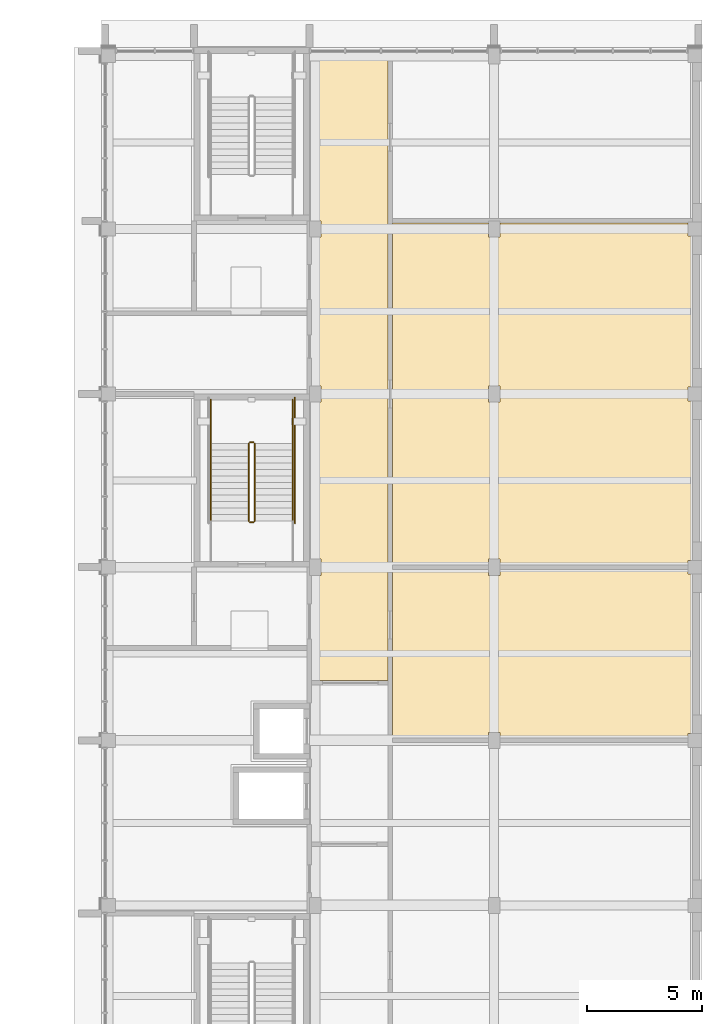
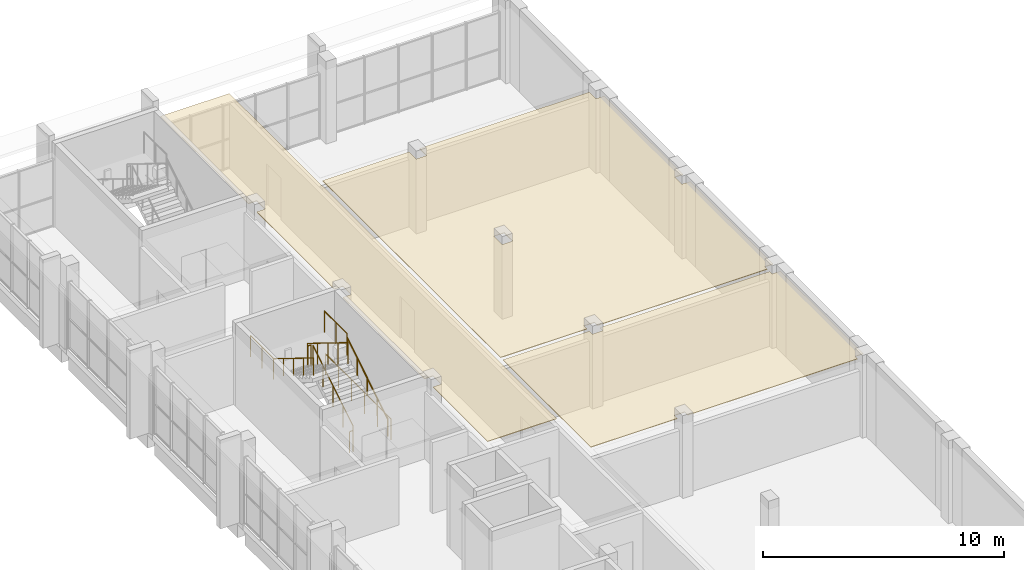
# One storey, part 41 of 42: 9 railings, 3 coverings.
"""IFC4 building model written with IfcOpenShell, lengths in metres."""

from ifc_helpers import new_model, si_unit, direction, frame, origin, origin_2d, place, context, subcontext, project, spatial, polyline, circle, outline, extrude, material, layer, layer_set, type_object, element, save


model = new_model("IFC4")

# Units and contexts
model_context = context("Model", 3, precision=1e-05, world=origin(), true_north=direction((0.0, 1.0)))
body_context = subcontext(model_context, "Body", "Model", "MODEL_VIEW")
ifc_project = project(units=[si_unit("LENGTHUNIT", "METRE"), si_unit("AREAUNIT", "SQUARE_METRE"), si_unit("VOLUMEUNIT", "CUBIC_METRE"), si_unit("PLANEANGLEUNIT", "RADIAN"), si_unit("MASSUNIT", "GRAM", prefix="KILO")], contexts=[model_context])

# Site, building, storey
site_placement = place(None, origin())
site = spatial("IfcSite", under=ifc_project, at=site_placement, CompositionType="ELEMENT")
building_placement = place(site_placement, origin())
building = spatial("IfcBuilding", under=site, at=building_placement, Name="Sun Court Science Centre", CompositionType="ELEMENT")
storey_placement = place(building_placement, frame((0.0, 0.0, 20.25)))
storey = spatial("IfcBuildingStorey", under=building, at=storey_placement, Name="L04", CompositionType="ELEMENT", Elevation=20.25)

# Coverings
ifc_material_1 = material(Name="Gypsum board")
ifc_layer = layer(ifc_material_1, 0.030029296875)
ifc_layer_set = layer_set([ifc_layer], Name="Gypsum board")
covering_type = type_object("IfcCoveringType", Name="Ceiling suspended 600 module", PredefinedType="CEILING", material=ifc_layer_set)
covering_1_placement = place(storey_placement, frame((0.0, 0.0, 3.77001953125)))
element("IfcCovering", 1, at=covering_1_placement, inside=storey, type_object=covering_type, Name="L04-007 ceiling", PredefinedType="CEILING", context=body_context, shape_type="SweptSolid", body=[
    extrude(outline(polyline([(90.39990234375, 80.800048828125), (90.39990234375, 53.60009765625), (87.10009765625, 53.60009765625), (87.10009765625, 58.14990234375), (87.5, 58.14990234375), (87.5, 58.85009765625), (87.10009765625, 58.85009765625), (87.10009765625, 65.64990234375), (87.5, 65.64990234375), (87.5, 66.35009765625), (87.10009765625, 66.35009765625), (87.10009765625, 72.800048828125), (87.5, 72.800048828125), (87.5, 73.5), (87.10009765625, 73.5), (87.10009765625, 80.800048828125), (90.39990234375, 80.800048828125)])), origin(), (0.0, 0.0, 1.0), 0.030029296875),
])
covering_2_placement = place(storey_placement, frame((0.0, 0.0, 3.77001953125)))
element("IfcCovering", 2, at=covering_2_placement, inside=storey, type_object=covering_type, Name="L04-020 ceiling", PredefinedType="CEILING", context=body_context, shape_type="SweptSolid", body=[
    extrude(outline(polyline([(103.39990234375, 51.10009765625), (95.25, 51.10009765625), (95.25, 51.35009765625), (94.75, 51.35009765625), (94.75, 51.10009765625), (90.60009765625, 51.10009765625), (90.60009765625, 58.39990234375), (94.75, 58.39990234375), (94.75, 58.14990234375), (95.25, 58.14990234375), (95.25, 58.39990234375), (103.39990234375, 58.39990234375), (103.39990234375, 58.199951171875), (103.800048828125, 58.199951171875), (103.800048828125, 51.300048828125), (103.39990234375, 51.300048828125), (103.39990234375, 51.10009765625)])), origin(), (0.0, 0.0, 1.0), 0.030029296875),
])
covering_3_placement = place(storey_placement, frame((0.0, 0.0, 3.77001953125)))
element("IfcCovering", 3, at=covering_3_placement, inside=storey, type_object=covering_type, Name="L04-021 ceiling", PredefinedType="CEILING", context=body_context, shape_type="SweptSolid", body=[
    extrude(outline(polyline([(95.25, 58.60009765625), (95.25, 58.85009765625), (94.75, 58.85009765625), (94.75, 58.60009765625), (90.60009765625, 58.60009765625), (90.60009765625, 73.39990234375), (94.75, 73.39990234375), (94.75, 72.800048828125), (95.25, 72.800048828125), (95.25, 73.39990234375), (103.39990234375, 73.39990234375), (103.39990234375, 72.85009765625), (103.800048828125, 72.85009765625), (103.800048828125, 66.300048828125), (103.39990234375, 66.300048828125), (103.39990234375, 65.699951171875), (103.800048828125, 65.699951171875), (103.800048828125, 58.800048828125), (103.39990234375, 58.800048828125), (103.39990234375, 58.60009765625), (95.25, 58.60009765625)]), holes=[polyline([(95.25, 66.35009765625), (94.75, 66.35009765625), (94.75, 65.64990234375), (95.25, 65.64990234375), (95.25, 66.35009765625)])]), origin(), (0.0, 0.0, 1.0), 0.030029296875),
])

# Railings
ifc_material_2 = material(Name="Steel S275", Category="steel")
railing_type_1 = type_object("IfcRailingType", Name="Guard 1100 steel balustrade", PredefinedType="GUARDRAIL", material=ifc_material_2)
railing_1_placement = place(storey_placement, frame((84.625, 60.498046875, 0.173095703125)))
element("IfcRailing", 4, at=railing_1_placement, inside=storey, type_object=railing_type_1, Name="L04 SL3 stair guard 1", PredefinedType="GUARDRAIL", context=body_context, shape_type="SweptSolid", body=[
    extrude(circle(Radius=0.02392578125, at=origin_2d()), frame((0.0, 0.0, 1.076171875), z_axis=(0.0, 0.850606129759, 0.525803396734), x_axis=(-1.0, 0.0, 0.0)), (0.0, 0.0, 1.0), 3.949951171875),
    extrude(circle(Radius=0.02099609375, at=origin_2d()), origin(), (0.0, 0.0, 1.0), 1.052001953125),
    extrude(circle(Radius=0.02099609375, at=origin_2d()), frame((0.0, 0.83984375, 0.519287109375)), (0.0, 0.0, 1.0), 1.052001953125),
    extrude(circle(Radius=0.02099609375, at=origin_2d()), frame((0.0, 1.679931640625, 1.03857421875)), (0.0, 0.0, 1.0), 1.052001953125),
    extrude(circle(Radius=0.02099609375, at=origin_2d()), frame((0.0, 2.52001953125, 1.5576171875)), (0.0, 0.0, 1.0), 1.052001953125),
    extrude(circle(Radius=0.02099609375, at=origin_2d()), frame((0.0, 3.35986328125, 2.076904296875)), (0.0, 0.0, 1.0), 1.052001953125),
])
railing_2_placement = place(storey_placement, frame((84.574951171875, 63.907958984375, 2.25)))
element("IfcRailing", 5, at=railing_2_placement, inside=storey, type_object=railing_type_1, Name="L04 SL3 stair guard 2", PredefinedType="GUARDRAIL", context=body_context, shape_type="SweptSolid", body=[
    extrude(circle(Radius=0.02392578125, at=origin_2d()), frame((0.0, 0.0, 1.076171875), z_axis=(-1.0, 0.0, 0.0), x_axis=(0.0, -1.0, 0.0)), (0.0, 0.0, 1.0), 0.14990234375),
    extrude(circle(Radius=0.02099609375, at=origin_2d()), origin(), (0.0, 0.0, 1.0), 1.052001953125),
    extrude(circle(Radius=0.02099609375, at=origin_2d()), frame((-0.14990234375, 0.0, 0.0)), (0.0, 0.0, 1.0), 1.052001953125),
])
for number, where, name in (
    (6, (86.27294921875, 63.85791015625, 2.25), "L04 SL3 stair guard 3"),
    (7, (82.72705078125, 63.85791015625, 2.25), "L04 SL3 stair guard 4"),
):
    element("IfcRailing", number, at=place(storey_placement, frame(where)), inside=storey, type_object=railing_type_1, Name=name, PredefinedType="GUARDRAIL", context=body_context, shape_type="SweptSolid", body=[
        extrude(circle(Radius=0.02392578125, at=origin_2d()), frame((0.0, 0.0, 1.076171875), z_axis=(0.0, 1.0, 0.0), x_axis=(-1.0, 0.0, 0.0)), (0.0, 0.0, 1.0), 1.89208984375),
        extrude(circle(Radius=0.02099609375, at=origin_2d()), origin(), (0.0, 0.0, 1.0), 1.052001953125),
        extrude(circle(Radius=0.02099609375, at=origin_2d()), frame((0.0, 0.946044921875, 0.0)), (0.0, 0.0, 1.0), 1.052001953125),
        extrude(circle(Radius=0.02099609375, at=origin_2d()), frame((0.0, 1.89208984375, 0.0)), (0.0, 0.0, 1.0), 1.052001953125),
    ])
railing_3_placement = place(storey_placement, frame((84.375, 63.85791015625, 2.423095703125)))
element("IfcRailing", 8, at=railing_3_placement, inside=storey, type_object=railing_type_1, Name="L04 SL3 stair guard 5", PredefinedType="GUARDRAIL", context=body_context, shape_type="SweptSolid", body=[
    extrude(circle(Radius=0.02392578125, at=origin_2d()), frame((0.0, 0.0, 1.076171875), z_axis=(0.0, -0.850606129759, 0.525803396734), x_axis=(1.0, 0.0, 0.0)), (0.0, 0.0, 1.0), 3.949951171875),
    extrude(circle(Radius=0.02099609375, at=origin_2d()), origin(), (0.0, 0.0, 1.0), 1.052001953125),
    extrude(circle(Radius=0.02099609375, at=origin_2d()), frame((0.0, -0.83984375, 0.519287109375)), (0.0, 0.0, 1.0), 1.052001953125),
    extrude(circle(Radius=0.02099609375, at=origin_2d()), frame((0.0, -1.679931640625, 1.03857421875)), (0.0, 0.0, 1.0), 1.052001953125),
    extrude(circle(Radius=0.02099609375, at=origin_2d()), frame((0.0, -2.52001953125, 1.5576171875)), (0.0, 0.0, 1.0), 1.052001953125),
    extrude(circle(Radius=0.02099609375, at=origin_2d()), frame((0.0, -3.35986328125, 2.076904296875)), (0.0, 0.0, 1.0), 1.052001953125),
])
railing_4_placement = place(storey_placement, frame((84.574951171875, 60.447998046875, 0.0)))
element("IfcRailing", 9, at=railing_4_placement, inside=storey, type_object=railing_type_1, Name="L04 SL3 stair guard 6", PredefinedType="GUARDRAIL", context=body_context, shape_type="SweptSolid", body=[
    extrude(circle(Radius=0.02392578125, at=origin_2d()), frame((0.0, 0.0, 1.076171875), z_axis=(-1.0, 0.0, 0.0), x_axis=(0.0, -1.0, 0.0)), (0.0, 0.0, 1.0), 0.14990234375),
    extrude(circle(Radius=0.02099609375, at=origin_2d()), origin(), (0.0, 0.0, 1.0), 1.052001953125),
    extrude(circle(Radius=0.02099609375, at=origin_2d()), frame((-0.14990234375, 0.0, 0.0)), (0.0, 0.0, 1.0), 1.052001953125),
])
railing_5_placement = place(storey_placement, frame((86.373046875, 60.39794921875, 0.0)))
element("IfcRailing", 10, at=railing_5_placement, inside=storey, type_object=railing_type_1, Name="L04 SL3 stair guard 9", PredefinedType="GUARDRAIL", context=body_context, shape_type="SweptSolid", body=[
    extrude(circle(Radius=0.02392578125, at=origin_2d()), frame((0.0, 0.0, 1.076171875), z_axis=(0.0, 1.0, 0.0), x_axis=(-1.0, 0.0, 0.0)), (0.0, 0.0, 1.0), 5.4521484375),
    extrude(circle(Radius=0.02099609375, at=origin_2d()), origin(), (0.0, 0.0, 1.0), 1.052001953125),
    extrude(circle(Radius=0.02099609375, at=origin_2d()), frame((0.0, 1.09033203125, 0.0)), (0.0, 0.0, 1.0), 1.052001953125),
    extrude(circle(Radius=0.02099609375, at=origin_2d()), frame((0.0, 2.180908203125, 0.0)), (0.0, 0.0, 1.0), 1.052001953125),
    extrude(circle(Radius=0.02099609375, at=origin_2d()), frame((0.0, 3.271240234375, 0.0)), (0.0, 0.0, 1.0), 1.052001953125),
    extrude(circle(Radius=0.02099609375, at=origin_2d()), frame((0.0, 4.36181640625, 0.0)), (0.0, 0.0, 1.0), 1.052001953125),
    extrude(circle(Radius=0.02099609375, at=origin_2d()), frame((0.0, 5.4521484375, 0.0)), (0.0, 0.0, 1.0), 1.052001953125),
])
ifc_material_3 = material(Name="Stainless steel", Category="steel")
railing_type_2 = type_object("IfcRailingType", Name="Handrail 900 stainless", PredefinedType="HANDRAIL", material=ifc_material_3)
railing_6_placement = place(storey_placement, frame((86.27294921875, 60.498046875, 0.173095703125)))
element("IfcRailing", 11, at=railing_6_placement, inside=storey, type_object=railing_type_2, Name="L04 SL3 stair handrail 1", PredefinedType="HANDRAIL", context=body_context, shape_type="SweptSolid", body=[
    extrude(circle(Radius=0.02392578125, at=origin_2d()), frame((0.0, 0.0, 0.8759765625), z_axis=(0.0, 0.850606129759, 0.525803396734), x_axis=(-1.0, 0.0, 0.0)), (0.0, 0.0, 1.0), 3.949951171875),
    extrude(circle(Radius=0.02099609375, at=origin_2d()), origin(), (0.0, 0.0, 1.0), 0.851806640625),
    extrude(circle(Radius=0.02099609375, at=origin_2d()), frame((0.0, 0.83984375, 0.519287109375)), (0.0, 0.0, 1.0), 0.851806640625),
    extrude(circle(Radius=0.02099609375, at=origin_2d()), frame((0.0, 1.679931640625, 1.03857421875)), (0.0, 0.0, 1.0), 0.851806640625),
    extrude(circle(Radius=0.02099609375, at=origin_2d()), frame((0.0, 2.52001953125, 1.5576171875)), (0.0, 0.0, 1.0), 0.851806640625),
    extrude(circle(Radius=0.02099609375, at=origin_2d()), frame((0.0, 3.35986328125, 2.076904296875)), (0.0, 0.0, 1.0), 0.851806640625),
])
railing_7_placement = place(storey_placement, frame((82.72705078125, 63.85791015625, 2.423095703125)))
element("IfcRailing", 12, at=railing_7_placement, inside=storey, type_object=railing_type_2, Name="L04 SL3 stair handrail 2", PredefinedType="HANDRAIL", context=body_context, shape_type="SweptSolid", body=[
    extrude(circle(Radius=0.02392578125, at=origin_2d()), frame((0.0, 0.0, 0.8759765625), z_axis=(0.0, -0.850606129759, 0.525803396734), x_axis=(1.0, 0.0, 0.0)), (0.0, 0.0, 1.0), 3.949951171875),
    extrude(circle(Radius=0.02099609375, at=origin_2d()), origin(), (0.0, 0.0, 1.0), 0.851806640625),
    extrude(circle(Radius=0.02099609375, at=origin_2d()), frame((0.0, -0.83984375, 0.519287109375)), (0.0, 0.0, 1.0), 0.851806640625),
    extrude(circle(Radius=0.02099609375, at=origin_2d()), frame((0.0, -1.679931640625, 1.03857421875)), (0.0, 0.0, 1.0), 0.851806640625),
    extrude(circle(Radius=0.02099609375, at=origin_2d()), frame((0.0, -2.52001953125, 1.5576171875)), (0.0, 0.0, 1.0), 0.851806640625),
    extrude(circle(Radius=0.02099609375, at=origin_2d()), frame((0.0, -3.35986328125, 2.076904296875)), (0.0, 0.0, 1.0), 0.851806640625),
])

save(model, "model.ifc")
